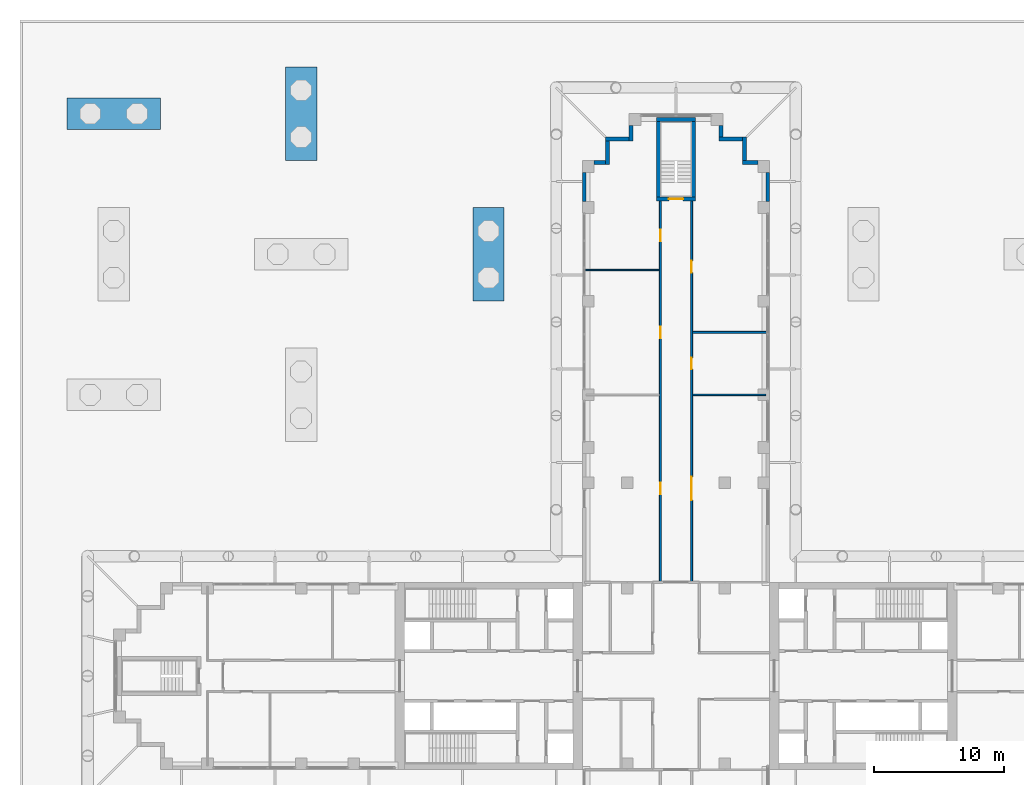
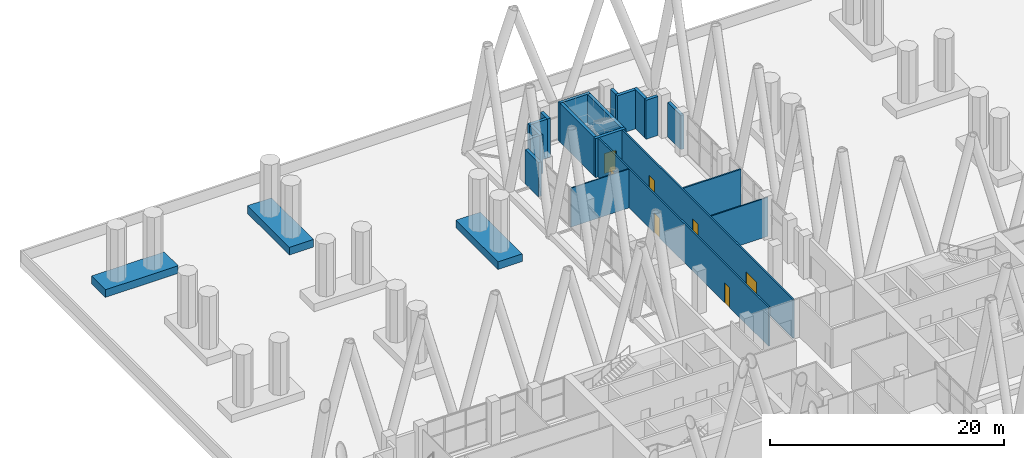
# One storey, part 25 of 31: 22 walls, 7 doors, 7 openings.
"""IFC4 building model written with IfcOpenShell, lengths in metres."""

from ifc_helpers import new_model, si_unit, direction, frame, frame_2d, origin, place, context, subcontext, project, spatial, rectangle, extrude, material, layer, layer_set, type_object, element, fill, save


model = new_model("IFC4")

# Units and contexts
model_context = context("Model", 3, precision=1e-05, world=origin(), true_north=direction((0.0, 1.0)))
body_context = subcontext(model_context, "Body", "Model", "MODEL_VIEW")
ifc_project = project(units=[si_unit("LENGTHUNIT", "METRE"), si_unit("AREAUNIT", "SQUARE_METRE"), si_unit("VOLUMEUNIT", "CUBIC_METRE"), si_unit("PLANEANGLEUNIT", "RADIAN"), si_unit("MASSUNIT", "GRAM", prefix="KILO")], contexts=[model_context])

# Site, building, storey
site_placement = place(None, origin())
site = spatial("IfcSite", under=ifc_project, at=site_placement, CompositionType="ELEMENT")
building_placement = place(site_placement, origin())
building = spatial("IfcBuilding", under=site, at=building_placement, Name="Fustian Cross Tower", CompositionType="ELEMENT")
storey_placement = place(building_placement, frame((0.0, 0.0, 7.199951171875)))
storey = spatial("IfcBuildingStorey", under=building, at=storey_placement, Name="L01", CompositionType="ELEMENT", Elevation=7.199951171875)

# Wall, openings, doors
ifc_material_1 = material(Name="Plasterboard on steel stud", Category="steel")
ifc_layer_1 = layer(ifc_material_1, 0.14990234375)
ifc_layer_set_1 = layer_set([ifc_layer_1], Name="Plasterboard on steel stud")
wall_type_1 = type_object("IfcWallType", Name="COMPARTMENT WALL 150 EI 60", PredefinedType="PARTITIONING", material=ifc_layer_set_1)
wall_1_placement = place(storey_placement, frame((-1.199951171875, 7.27490234375, 0.0), z_axis=(0.0, 0.0, 1.0), x_axis=(0.0, 1.0, 0.0)))
wall_1 = element("IfcWall", 1, at=wall_1_placement, inside=storey, type_object=wall_type_1, Name="Partition 25", PredefinedType="PARTITIONING", context=body_context, shape_type="SweptSolid", body=[
    extrude(rectangle(XDim=29.22509765625, YDim=0.14990234375, at=frame_2d((14.612548828125, 0.0))), origin(), (0.0, 0.0, 1.0), 4.074951171875),
])
opening_1_placement = place(wall_1_placement, frame((6.675048828125, 0.0, 0.0)))
opening_1 = element("IfcOpeningElement", 2, at=opening_1_placement, cuts=wall_1, Name="Opening D03008", PredefinedType="OPENING", context=body_context, shape_type="SweptSolid", body=[
    extrude(rectangle(XDim=0.89990234375, YDim=2.10009765625, at=frame_2d((0.449951171875, 1.050048828125))), frame((0.0, 0.0849609375, 0.0), z_axis=(0.0, -1.0, 0.0), x_axis=(1.0, 0.0, 0.0)), (0.0, 0.0, 1.0), 0.169921875),
])
opening_2_placement = place(wall_1_placement, frame((18.675048828125, 0.0, 0.0)))
opening_2 = element("IfcOpeningElement", 3, at=opening_2_placement, cuts=wall_1, Name="Opening D03009", PredefinedType="OPENING", context=body_context, shape_type="SweptSolid", body=[
    extrude(rectangle(XDim=0.89990234375, YDim=2.10009765625, at=frame_2d((0.449951171875, 1.050048828125))), frame((0.0, 0.0849609375, 0.0), z_axis=(0.0, -1.0, 0.0), x_axis=(1.0, 0.0, 0.0)), (0.0, 0.0, 1.0), 0.169921875),
])
opening_3_placement = place(wall_1_placement, frame((26.125, 0.0, 0.0)))
opening_3 = element("IfcOpeningElement", 4, at=opening_3_placement, cuts=wall_1, Name="Opening D03010", PredefinedType="OPENING", context=body_context, shape_type="SweptSolid", body=[
    extrude(rectangle(XDim=0.89990234375, YDim=2.10009765625, at=frame_2d((0.449951171875, 1.050048828125))), frame((0.0, 0.0849609375, 0.0), z_axis=(0.0, -1.0, 0.0), x_axis=(1.0, 0.0, 0.0)), (0.0, 0.0, 1.0), 0.169921875),
])
ifc_material_2 = material(Name="Timber fire door set", Category="wood")
door_type_1 = type_object("IfcDoorType", Name="FIRE SWING DOOR 900 FD30S", OperationType="SINGLE_SWING_LEFT", PredefinedType="DOOR", material=ifc_material_2)
door_1_placement = place(opening_1_placement, origin())
door_1 = element("IfcDoor", 5, at=door_1_placement, inside=storey, type_object=door_type_1, Name="Door D03008", OperationType="SINGLE_SWING_LEFT", OverallHeight=2.10009765625, OverallWidth=0.89990234375, PredefinedType="DOOR", context=body_context, shape_type="SweptSolid", body=[
    extrude(rectangle(XDim=0.89990234375, YDim=2.10009765625, at=frame_2d((0.449951171875, 1.050048828125))), frame((0.0, 0.02490234375, 0.0), z_axis=(0.0, -1.0, 0.0), x_axis=(1.0, 0.0, 0.0)), (0.0, 0.0, 1.0), 0.050048828125),
])
fill(opening_1, door_1)
door_2_placement = place(opening_2_placement, origin())
door_2 = element("IfcDoor", 6, at=door_2_placement, inside=storey, type_object=door_type_1, Name="Door D03009", OperationType="SINGLE_SWING_LEFT", OverallHeight=2.10009765625, OverallWidth=0.89990234375, PredefinedType="DOOR", context=body_context, shape_type="SweptSolid", body=[
    extrude(rectangle(XDim=0.89990234375, YDim=2.10009765625, at=frame_2d((0.449951171875, 1.050048828125))), frame((0.0, 0.02490234375, 0.0), z_axis=(0.0, -1.0, 0.0), x_axis=(1.0, 0.0, 0.0)), (0.0, 0.0, 1.0), 0.050048828125),
])
fill(opening_2, door_2)
door_3_placement = place(opening_3_placement, origin())
door_3 = element("IfcDoor", 7, at=door_3_placement, inside=storey, type_object=door_type_1, Name="Door D03010", OperationType="SINGLE_SWING_LEFT", OverallHeight=2.10009765625, OverallWidth=0.89990234375, PredefinedType="DOOR", context=body_context, shape_type="SweptSolid", body=[
    extrude(rectangle(XDim=0.89990234375, YDim=2.10009765625, at=frame_2d((0.449951171875, 1.050048828125))), frame((0.0, 0.02490234375, 0.0), z_axis=(0.0, -1.0, 0.0), x_axis=(1.0, 0.0, 0.0)), (0.0, 0.0, 1.0), 0.050048828125),
])
fill(opening_3, door_3)

wall_2_placement = place(storey_placement, frame((1.199951171875, 7.27490234375, 0.0), z_axis=(0.0, 0.0, 1.0), x_axis=(0.0, 1.0, 0.0)))
wall_2 = element("IfcWall", 8, at=wall_2_placement, inside=storey, type_object=wall_type_1, Name="Partition 28", PredefinedType="PARTITIONING", context=body_context, shape_type="SweptSolid", body=[
    extrude(rectangle(XDim=29.22509765625, YDim=0.14990234375, at=frame_2d((14.612548828125, 0.0))), origin(), (0.0, 0.0, 1.0), 4.074951171875),
])
opening_4_placement = place(wall_2_placement, frame((6.22509765625, 0.0, 0.0)))
opening_4 = element("IfcOpeningElement", 9, at=opening_4_placement, cuts=wall_2, Name="Opening D03011", PredefinedType="OPENING", context=body_context, shape_type="SweptSolid", body=[
    extrude(rectangle(XDim=1.800048828125, YDim=2.10009765625, at=frame_2d((0.89990234375, 1.050048828125))), frame((0.0, 0.0849609375, 0.0), z_axis=(0.0, -1.0, 0.0), x_axis=(1.0, 0.0, 0.0)), (0.0, 0.0, 1.0), 0.169921875),
])
opening_5_placement = place(wall_2_placement, frame((16.27490234375, 0.0, 0.0)))
opening_5 = element("IfcOpeningElement", 10, at=opening_5_placement, cuts=wall_2, Name="Opening D03012", PredefinedType="OPENING", context=body_context, shape_type="SweptSolid", body=[
    extrude(rectangle(XDim=0.89990234375, YDim=2.10009765625, at=frame_2d((0.449951171875, 1.050048828125))), frame((0.0, 0.0849609375, 0.0), z_axis=(0.0, -1.0, 0.0), x_axis=(1.0, 0.0, 0.0)), (0.0, 0.0, 1.0), 0.169921875),
])
opening_6_placement = place(wall_2_placement, frame((23.72509765625, 0.0, 0.0)))
opening_6 = element("IfcOpeningElement", 11, at=opening_6_placement, cuts=wall_2, Name="Opening D03013", PredefinedType="OPENING", context=body_context, shape_type="SweptSolid", body=[
    extrude(rectangle(XDim=0.89990234375, YDim=2.10009765625, at=frame_2d((0.449951171875, 1.050048828125))), frame((0.0, 0.0849609375, 0.0), z_axis=(0.0, -1.0, 0.0), x_axis=(1.0, 0.0, 0.0)), (0.0, 0.0, 1.0), 0.169921875),
])
ifc_material_3 = material(Name="Timber fire door set", Category="wood")
door_type_2 = type_object("IfcDoorType", Name="FIRE DOUBLE DOOR 1800 FD30S", OperationType="DOUBLE_DOOR_DOUBLE_SWING", PredefinedType="DOOR", material=ifc_material_3)
door_4_placement = place(opening_4_placement, origin())
door_4 = element("IfcDoor", 12, at=door_4_placement, inside=storey, type_object=door_type_2, Name="Door D03011", OperationType="DOUBLE_DOOR_DOUBLE_SWING", OverallHeight=2.10009765625, OverallWidth=1.800048828125, PredefinedType="DOOR", context=body_context, shape_type="SweptSolid", body=[
    extrude(rectangle(XDim=1.800048828125, YDim=2.10009765625, at=frame_2d((0.89990234375, 1.050048828125))), frame((0.0, 0.02490234375, 0.0), z_axis=(0.0, -1.0, 0.0), x_axis=(1.0, 0.0, 0.0)), (0.0, 0.0, 1.0), 0.050048828125),
])
fill(opening_4, door_4)
door_5_placement = place(opening_5_placement, frame((0.89990234375, 0.0, 0.0), z_axis=(0.0, 0.0, 1.0), x_axis=(-1.0, 0.0, 0.0)))
door_5 = element("IfcDoor", 13, at=door_5_placement, inside=storey, type_object=door_type_1, Name="Door D03012", OperationType="SINGLE_SWING_RIGHT", OverallHeight=2.10009765625, OverallWidth=0.89990234375, PredefinedType="DOOR", context=body_context, shape_type="SweptSolid", body=[
    extrude(rectangle(XDim=0.89990234375, YDim=2.10009765625, at=frame_2d((0.449951171875, 1.050048828125))), frame((0.0, 0.02490234375, 0.0), z_axis=(0.0, -1.0, 0.0), x_axis=(1.0, 0.0, 0.0)), (0.0, 0.0, 1.0), 0.050048828125),
])
fill(opening_5, door_5)
door_6_placement = place(opening_6_placement, frame((0.89990234375, 0.0, 0.0), z_axis=(0.0, 0.0, 1.0), x_axis=(-1.0, 0.0, 0.0)))
door_6 = element("IfcDoor", 14, at=door_6_placement, inside=storey, type_object=door_type_1, Name="Door D03013", OperationType="SINGLE_SWING_RIGHT", OverallHeight=2.10009765625, OverallWidth=0.89990234375, PredefinedType="DOOR", context=body_context, shape_type="SweptSolid", body=[
    extrude(rectangle(XDim=0.89990234375, YDim=2.10009765625, at=frame_2d((0.449951171875, 1.050048828125))), frame((0.0, 0.02490234375, 0.0), z_axis=(0.0, -1.0, 0.0), x_axis=(1.0, 0.0, 0.0)), (0.0, 0.0, 1.0), 0.050048828125),
])
fill(opening_6, door_6)

# Walls
wall_3_placement = place(storey_placement, frame((1.27490234375, 26.39990234375, 0.0), z_axis=(0.0, 0.0, 1.0), x_axis=(1.0, 0.0, 0.0)))
element("IfcWall", 15, at=wall_3_placement, inside=storey, type_object=wall_type_1, Name="Partition 30", PredefinedType="PARTITIONING", context=body_context, shape_type="SweptSolid", body=[
    extrude(rectangle(XDim=5.7451171875, YDim=0.14990234375, at=frame_2d((2.87255859375, 0.0))), origin(), (0.0, 0.0, 1.0), 4.074951171875),
])
ifc_material_4 = material(Name="Dark rainscreen cladding on blockwork", Category="masonry")
ifc_layer_2 = layer(ifc_material_4, 0.300048828125)
ifc_layer_set_2 = layer_set([ifc_layer_2], Name="Dark rainscreen cladding on blockwork")
wall_type_2 = type_object("IfcWallType", Name="EXTERNAL WALL 300 CLADDING", PredefinedType="SOLIDWALL", material=ifc_layer_set_2)
wall_4_placement = place(storey_placement, frame((7.050048828125, 36.449951171875, 0.0), z_axis=(0.0, 0.0, 1.0), x_axis=(0.0, 1.0, 0.0)))
element("IfcWall", 16, at=wall_4_placement, inside=storey, type_object=wall_type_2, Name="Garden-level wall N135", PredefinedType="SOLIDWALL", context=body_context, shape_type="SweptSolid", body=[
    extrude(rectangle(XDim=2.25, YDim=0.300048828125, at=frame_2d((1.125, 0.0))), origin(), (0.0, 0.0, 1.0), 3.60009765625),
])
wall_5_placement = place(storey_placement, frame((6.300048828125, 39.449951171875, 0.0), z_axis=(0.0, 0.0, 1.0), x_axis=(-1.0, 0.0, 0.0)))
element("IfcWall", 17, at=wall_5_placement, inside=storey, type_object=wall_type_2, Name="Garden-level wall N140", PredefinedType="SOLIDWALL", context=body_context, shape_type="SweptSolid", body=[
    extrude(rectangle(XDim=1.199951171875, YDim=0.300048828125, at=frame_2d((0.60009765625, 0.0))), origin(), (0.0, 0.0, 1.0), 4.074951171875),
])
wall_6_placement = place(storey_placement, frame((5.25, 39.60009765625, 0.0), z_axis=(0.0, 0.0, 1.0), x_axis=(0.0, 1.0, 0.0)))
element("IfcWall", 18, at=wall_6_placement, inside=storey, type_object=wall_type_2, Name="Garden-level wall N150", PredefinedType="SOLIDWALL", context=body_context, shape_type="SweptSolid", body=[
    extrude(rectangle(XDim=1.7998046875, YDim=0.300048828125, at=frame_2d((0.89990234375, 0.0))), origin(), (0.0, 0.0, 1.0), 4.074951171875),
])
wall_7_placement = place(storey_placement, frame((5.10009765625, 41.25, 0.0), z_axis=(0.0, 0.0, 1.0), x_axis=(-1.0, 0.0, 0.0)))
element("IfcWall", 19, at=wall_7_placement, inside=storey, type_object=wall_type_2, Name="Garden-level wall N160", PredefinedType="SOLIDWALL", context=body_context, shape_type="SweptSolid", body=[
    extrude(rectangle(XDim=1.800048828125, YDim=0.300048828125, at=frame_2d((0.89990234375, 0.0))), origin(), (0.0, 0.0, 1.0), 4.074951171875),
])
wall_8_placement = place(storey_placement, frame((3.449951171875, 41.39990234375, 0.0), z_axis=(0.0, 0.0, 1.0), x_axis=(0.0, 1.0, 0.0)))
element("IfcWall", 20, at=wall_8_placement, inside=storey, type_object=wall_type_2, Name="Garden-level wall N170", PredefinedType="SOLIDWALL", context=body_context, shape_type="SweptSolid", body=[
    extrude(rectangle(XDim=0.900146484375, YDim=0.300048828125, at=frame_2d((0.4501953125, 0.0))), origin(), (0.0, 0.0, 1.0), 4.074951171875),
])
wall_9_placement = place(storey_placement, frame((-3.449951171875, 42.300048828125, 0.0), z_axis=(0.0, 0.0, 1.0), x_axis=(0.0, -1.0, 0.0)))
element("IfcWall", 21, at=wall_9_placement, inside=storey, type_object=wall_type_2, Name="Garden-level wall N190", PredefinedType="SOLIDWALL", context=body_context, shape_type="SweptSolid", body=[
    extrude(rectangle(XDim=1.199951171875, YDim=0.300048828125, at=frame_2d((0.60009765625, 0.0))), origin(), (0.0, 0.0, 1.0), 4.074951171875),
])
wall_10_placement = place(storey_placement, frame((-3.60009765625, 41.25, 0.0), z_axis=(0.0, 0.0, 1.0), x_axis=(-1.0, 0.0, 0.0)))
element("IfcWall", 22, at=wall_10_placement, inside=storey, type_object=wall_type_2, Name="Garden-level wall N200", PredefinedType="SOLIDWALL", context=body_context, shape_type="SweptSolid", body=[
    extrude(rectangle(XDim=1.7998046875, YDim=0.300048828125, at=frame_2d((0.89990234375, 0.0))), origin(), (0.0, 0.0, 1.0), 4.074951171875),
])
wall_11_placement = place(storey_placement, frame((-5.25, 41.10009765625, 0.0), z_axis=(0.0, 0.0, 1.0), x_axis=(0.0, -1.0, 0.0)))
element("IfcWall", 23, at=wall_11_placement, inside=storey, type_object=wall_type_2, Name="Garden-level wall N210", PredefinedType="SOLIDWALL", context=body_context, shape_type="SweptSolid", body=[
    extrude(rectangle(XDim=1.800048828125, YDim=0.300048828125, at=frame_2d((0.89990234375, 0.0))), origin(), (0.0, 0.0, 1.0), 4.074951171875),
])
wall_12_placement = place(storey_placement, frame((-5.39990234375, 39.449951171875, 0.0), z_axis=(0.0, 0.0, 1.0), x_axis=(-1.0, 0.0, 0.0)))
element("IfcWall", 24, at=wall_12_placement, inside=storey, type_object=wall_type_2, Name="Garden-level wall N220", PredefinedType="SOLIDWALL", context=body_context, shape_type="SweptSolid", body=[
    extrude(rectangle(XDim=0.900146484375, YDim=0.300048828125, at=frame_2d((0.4501953125, 0.0))), origin(), (0.0, 0.0, 1.0), 4.074951171875),
])
wall_13_placement = place(storey_placement, frame((-7.050048828125, 38.699951171875, 0.0), z_axis=(0.0, 0.0, 1.0), x_axis=(0.0, -1.0, 0.0)))
element("IfcWall", 25, at=wall_13_placement, inside=storey, type_object=wall_type_2, Name="Garden-level wall N230", PredefinedType="SOLIDWALL", context=body_context, shape_type="SweptSolid", body=[
    extrude(rectangle(XDim=2.25, YDim=0.300048828125, at=frame_2d((1.125, 0.0))), origin(), (0.0, 0.0, 1.0), 3.60009765625),
])
ifc_material_5 = material(Name="Plasterboard on steel stud", Category="steel")
ifc_layer_3 = layer(ifc_material_5, 0.10009765625)
ifc_layer_set_3 = layer_set([ifc_layer_3], Name="Plasterboard on steel stud")
wall_type_3 = type_object("IfcWallType", Name="PARTITION 100 STUD", PredefinedType="PARTITIONING", material=ifc_layer_set_3)
wall_14_placement = place(storey_placement, frame((-7.02001953125, 31.199951171875, 0.0), z_axis=(0.0, 0.0, 1.0), x_axis=(1.0, 0.0, 0.0)))
element("IfcWall", 26, at=wall_14_placement, inside=storey, type_object=wall_type_3, Name="Partition 16", PredefinedType="PARTITIONING", context=body_context, shape_type="SweptSolid", body=[
    extrude(rectangle(XDim=5.7451171875, YDim=0.10009765625, at=frame_2d((2.87255859375, 0.0))), origin(), (0.0, 0.0, 1.0), 4.074951171875),
])
ifc_material_6 = material(Name="Concrete C40/50", Category="concrete")
ifc_layer_4 = layer(ifc_material_6, 2.39990234375)
ifc_layer_set_4 = layer_set([ifc_layer_4], Name="Concrete C40/50")
wall_type_4 = type_object("IfcWallType", Name="PLANTER KERB", PredefinedType="SOLIDWALL", material=ifc_layer_set_4)
for number, where, z_axis, x_axis, name in (
    (27, (-46.800048828125, 43.199951171875, 0.0), (0.0, 0.0, 1.0), (1.0, 0.0, 0.0), "PLANTER D6"),
    (28, (-28.800048828125, 39.60009765625, 0.0), (0.0, 0.0, 1.0), (0.0, 1.0, 0.0), "PLANTER D12"),
    (29, (-14.39990234375, 28.800048828125, 0.0), (0.0, 0.0, 1.0), (0.0, 1.0, 0.0), "PLANTER D14"),
):
    element("IfcWall", number, at=place(storey_placement, frame(where, z_axis=z_axis, x_axis=x_axis)), inside=storey, type_object=wall_type_4, Name=name, PredefinedType="SOLIDWALL", context=body_context, shape_type="SweptSolid", body=[
        extrude(rectangle(XDim=7.199951171875, YDim=2.39990234375, at=frame_2d((3.60009765625, 0.0))), origin(), (0.0, 0.0, 1.0), 0.800048828125),
    ])

# Wall, opening, door
ifc_material_7 = material(Name="Concrete C50/60", Category="concrete")
ifc_layer_5 = layer(ifc_material_7, 0.300048828125)
ifc_layer_set_5 = layer_set([ifc_layer_5], Name="Concrete C50/60")
wall_type_5 = type_object("IfcWallType", Name="STAIR ENCLOSURE WALL 300 C50/60", PredefinedType="SHEAR", material=ifc_layer_set_5)
wall_15_placement = place(storey_placement, frame((-1.5, 36.64990234375, 0.0), z_axis=(0.0, 0.0, 1.0), x_axis=(1.0, 0.0, 0.0)))
wall_15 = element("IfcWall", 30, at=wall_15_placement, inside=storey, type_object=wall_type_5, Name="Stair enclosure wall", PredefinedType="SHEAR", context=body_context, shape_type="SweptSolid", body=[
    extrude(rectangle(XDim=3.0, YDim=0.300048828125, at=frame_2d((1.5, 0.0))), origin(), (0.0, 0.0, 1.0), 4.074951171875),
])
opening_7_placement = place(wall_15_placement, frame((0.949951171875, 0.0, 0.0)))
opening_7 = element("IfcOpeningElement", 31, at=opening_7_placement, cuts=wall_15, Name="Opening CD-03-31", PredefinedType="OPENING", context=body_context, shape_type="SweptSolid", body=[
    extrude(rectangle(XDim=1.10009765625, YDim=2.10009765625, at=frame_2d((0.550048828125, 1.050048828125))), frame((0.0, 0.159912109375, 0.0), z_axis=(0.0, -1.0, 0.0), x_axis=(1.0, 0.0, 0.0)), (0.0, 0.0, 1.0), 0.320068359375),
])
ifc_material_8 = material(Name="Steel", Category="steel")
door_type_3 = type_object("IfcDoorType", Name="FIRE DOOR FD60S 1100X2100", OperationType="SINGLE_SWING_LEFT", PredefinedType="DOOR", material=ifc_material_8)
door_7_placement = place(opening_7_placement, origin())
door_7 = element("IfcDoor", 32, at=door_7_placement, inside=storey, type_object=door_type_3, Name="Core door CD-03-31", OperationType="SINGLE_SWING_LEFT", OverallHeight=2.10009765625, OverallWidth=1.10009765625, PredefinedType="DOOR", context=body_context, shape_type="SweptSolid", body=[
    extrude(rectangle(XDim=1.10009765625, YDim=2.10009765625, at=frame_2d((0.550048828125, 1.050048828125))), frame((0.0, 0.02490234375, 0.0), z_axis=(0.0, -1.0, 0.0), x_axis=(1.0, 0.0, 0.0)), (0.0, 0.0, 1.0), 0.050048828125),
])
fill(opening_7, door_7)

# Walls
wall_16_placement = place(storey_placement, frame((-1.5, 42.75, 0.0), z_axis=(0.0, 0.0, 1.0), x_axis=(1.0, 0.0, 0.0)))
element("IfcWall", 33, at=wall_16_placement, inside=storey, type_object=wall_type_5, Name="Stair enclosure wall", PredefinedType="SHEAR", context=body_context, shape_type="SweptSolid", body=[
    extrude(rectangle(XDim=3.0, YDim=0.300048828125, at=frame_2d((1.5, 0.0))), origin(), (0.0, 0.0, 1.0), 4.074951171875),
])
for number, where, z_axis, x_axis, name in (
    (34, (-1.35009765625, 36.800048828125, 0.0), (0.0, 0.0, 1.0), (0.0, 1.0, 0.0), "Stair enclosure wall"),
    (35, (1.35009765625, 36.800048828125, 0.0), (0.0, 0.0, 1.0), (0.0, 1.0, 0.0), "Stair enclosure wall"),
):
    element("IfcWall", number, at=place(storey_placement, frame(where, z_axis=z_axis, x_axis=x_axis)), inside=storey, type_object=wall_type_5, Name=name, PredefinedType="SHEAR", context=body_context, shape_type="SweptSolid", body=[
        extrude(rectangle(XDim=5.800048828125, YDim=0.300048828125, at=frame_2d((2.89990234375, 0.0))), origin(), (0.0, 0.0, 1.0), 4.074951171875),
    ])
ifc_material_9 = material(Name="Plasterboard on steel stud", Category="steel")
ifc_layer_6 = layer(ifc_material_9, 0.125)
ifc_layer_set_6 = layer_set([ifc_layer_6], Name="Plasterboard on steel stud")
wall_type_6 = type_object("IfcWallType", Name="WET WALL 125 STUD", PredefinedType="PARTITIONING", material=ifc_layer_set_6)
wall_17_placement = place(storey_placement, frame((1.27490234375, 21.60009765625, 0.0), z_axis=(0.0, 0.0, 1.0), x_axis=(1.0, 0.0, 0.0)))
element("IfcWall", 36, at=wall_17_placement, inside=storey, type_object=wall_type_6, Name="Partition 29", PredefinedType="PARTITIONING", context=body_context, shape_type="SweptSolid", body=[
    extrude(rectangle(XDim=5.625, YDim=0.125, at=frame_2d((2.8125, 0.0))), origin(), (0.0, 0.0, 1.0), 4.074951171875),
])

save(model, "model.ifc")
